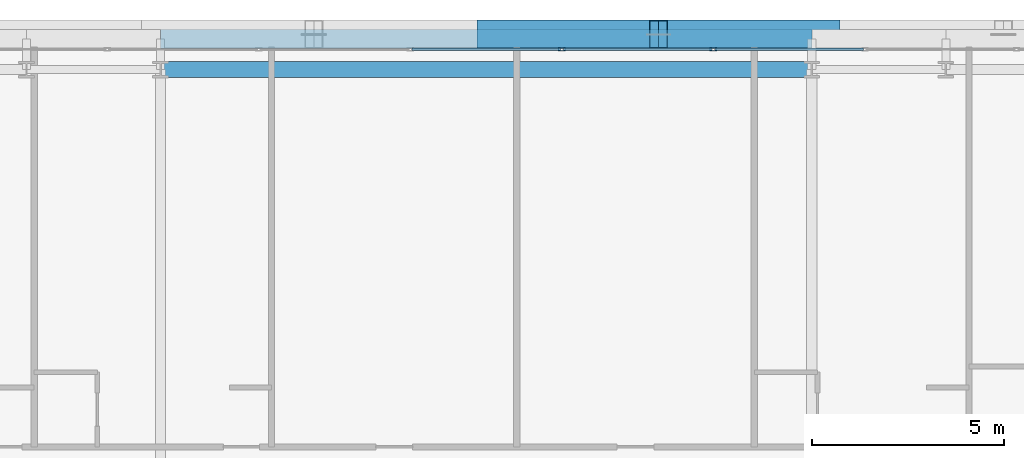
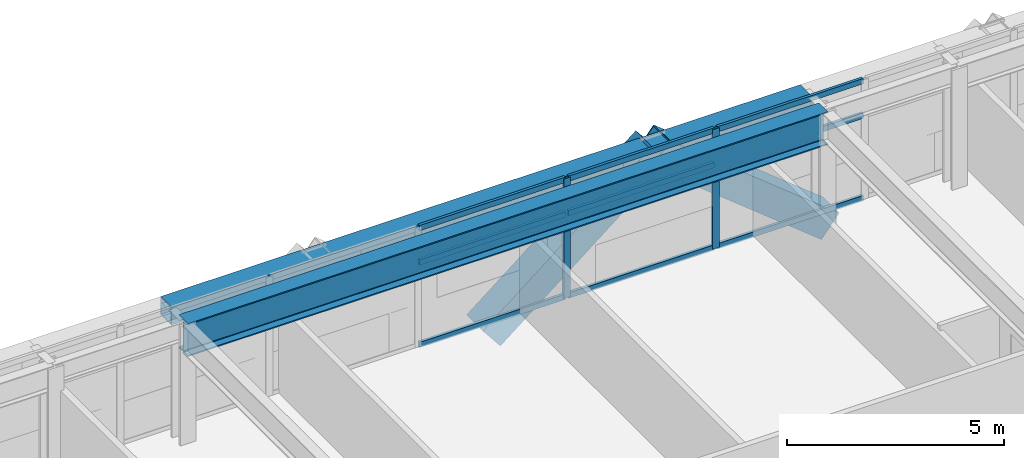
# One storey, part 19 of 35: 13 members, 2 beams, 1 element without a shape of its own.
"""IFC4 building model written with IfcOpenShell, lengths in metres."""

from ifc_helpers import new_model, si_unit, direction, frame, origin, origin_2d, place, context, subcontext, project, spatial, hollow_rectangle, i_section, extrude, source, transform, mapped, material, layer, layer_set, material_profile, profile_set, type_object, element, aggregate, save


model = new_model("IFC4")

# Units and contexts
model_context = context("Model", 3, precision=1e-05, world=origin(), true_north=direction((0.0, 1.0)))
body_context = subcontext(model_context, "Body", "Model", "MODEL_VIEW")
ifc_project = project(units=[si_unit("LENGTHUNIT", "METRE"), si_unit("AREAUNIT", "SQUARE_METRE"), si_unit("VOLUMEUNIT", "CUBIC_METRE"), si_unit("PLANEANGLEUNIT", "RADIAN"), si_unit("MASSUNIT", "GRAM", prefix="KILO")], contexts=[model_context])

# Site, building, storey
site_placement = place(None, origin())
site = spatial("IfcSite", under=ifc_project, at=site_placement, CompositionType="ELEMENT")
building_placement = place(site_placement, origin())
building = spatial("IfcBuilding", under=site, at=building_placement, Name="Ocotamira Hotel", CompositionType="ELEMENT")
storey_placement = place(building_placement, frame((0.0, 0.0, 118.800048828125)))
storey = spatial("IfcBuildingStorey", under=building, at=storey_placement, Name="L29", CompositionType="ELEMENT", Elevation=118.800048828125)

# Beams
ifc_material_1 = material(Name="Steel ASTM A992 Grade 50", Category="steel")
ifc_material_profile_1 = material_profile(ifc_material_1, i_section(OverallWidth=0.41796875, OverallDepth=0.927001953125, WebThickness=0.019287109375, FlangeThickness=0.031982421875, FilletRadius=0.02392578125, at=origin_2d()), Name="W36X231")
ifc_profile_set_1 = profile_set([ifc_material_profile_1], Name="Steel ASTM A992 Grade 50")
beam_type_1 = type_object("IfcBeamType", Name="BM-GIRD-W36X231", PredefinedType="BEAM", material=ifc_profile_set_1)
shared_shape_1 = source(origin(), body_context, "Body", "SweptSolid", [
    extrude(i_section(OverallWidth=0.41796875, OverallDepth=0.927001953125, WebThickness=0.019287109375, FlangeThickness=0.031982421875, FilletRadius=0.02392578125, at=origin_2d()), origin(), (0.0, 0.0, 1.0), 17.0),
])
beam_1_placement = place(storey_placement, frame((23.5, 49.050048828125, 2.896484375), z_axis=(1.0, 0.0, 0.0), x_axis=(0.0, 1.0, 0.0)))
element("IfcBeam", 1, at=beam_1_placement, inside=storey, type_object=beam_type_1, Name="L29 Girder Y49.05 X23.5-40.5", PredefinedType="BEAM", context=body_context, shape_type="MappedRepresentation", body=[
    mapped(shared_shape_1, transform((0.0, 0.0, 0.0), scale=1.0)),
])
ifc_material_2 = material(Name="Steel ASTM A500 Grade C", Category="steel")
ifc_material_profile_2 = material_profile(ifc_material_2, hollow_rectangle(XDim=0.5, YDim=0.5, WallThickness=0.02001953125, at=origin_2d()), Name="HSS500X500X20")
ifc_profile_set_2 = profile_set([ifc_material_profile_2], Name="Steel ASTM A500 Grade C")
beam_type_2 = type_object("IfcBeamType", Name="BM-SPAN-HSS500", PredefinedType="USERDEFINED", material=ifc_profile_set_2)
shared_shape_2 = source(origin(), body_context, "Body", "SweptSolid", [
    extrude(hollow_rectangle(XDim=0.5, YDim=0.5, WallThickness=0.02001953125, at=origin_2d()), origin(), (0.0, 0.0, 1.0), 17.0),
])
beam_2_placement = place(storey_placement, frame((23.5, 49.85009765625, 3.10986328125), z_axis=(1.0, 0.0, 0.0), x_axis=(0.0, 1.0, 0.0)))
element("IfcBeam", 2, at=beam_2_placement, inside=storey, type_object=beam_type_2, Name="L29 Edge Spandrel N X23.5-40.5", ObjectType="SPANDREL", PredefinedType="USERDEFINED", context=body_context, shape_type="MappedRepresentation", body=[
    mapped(shared_shape_2, transform((0.0, 0.0, 0.0), scale=1.0)),
])

# Members
ifc_material_3 = material(Name="Pale-metal coated steel ASTM A913 Grade 65", Category="steel")
ifc_material_profile_3 = material_profile(ifc_material_3, hollow_rectangle(XDim=0.75, YDim=0.75, WallThickness=0.028076171875, at=origin_2d()), Name="BOX750X750X28")
ifc_profile_set_3 = profile_set([ifc_material_profile_3], Name="Pale-metal coated steel ASTM A913 Grade 65")
member_type_1 = type_object("IfcMemberType", Name="MEM-EXO-BOX750", PredefinedType="BRACE", material=ifc_profile_set_3)
shared_shape_3 = source(origin(), body_context, "Body", "SweptSolid", [
    extrude(hollow_rectangle(XDim=0.75, YDim=0.75, WallThickness=0.028076171875, at=origin_2d()), origin(), (0.0, 0.0, 1.0), 5.7626953125),
])
for number, where, z_axis, x_axis, name in (
    (3, (32.0, 49.969970703125, -0.489990234375), (0.780881208953, 0.0, 0.624679547852), (0.0, 1.0, 0.0), "L29 Exoskeleton Diagrid N2.1"),
    (4, (41.0, 49.969970703125, -0.489990234375), (-0.780881208953, 0.0, 0.624679547852), (0.0, -1.0, 0.0), "L29 Exoskeleton Diagrid N2.2"),
):
    element("IfcMember", number, at=place(storey_placement, frame(where, z_axis=z_axis, x_axis=x_axis)), inside=storey, type_object=member_type_1, Name=name, PredefinedType="BRACE", context=body_context, shape_type="MappedRepresentation", body=[
        mapped(shared_shape_3, transform((0.0, 0.0, 0.0), scale=1.0)),
    ])

# Curtain wall, members
ifc_material_4 = material(Name="Anodised pale-metal aluminium and solar glass", Category="aluminium")
ifc_layer = layer(ifc_material_4, 0.179931640625)
ifc_layer_set = layer_set([ifc_layer], Name="Anodised pale-metal aluminium and solar glass")
curtain_wall_type = type_object("IfcCurtainWallType", Name="CW-SYS3-Z2", PredefinedType="NOTDEFINED", material=ifc_layer_set)
curtain_wall_placement = place(storey_placement, origin())
curtain_wall = element("IfcCurtainWall", 5, at=curtain_wall_placement, inside=storey, type_object=curtain_wall_type, Name="L29 Curtain Wall CW-3 CW-L29-N", PredefinedType="NOTDEFINED")
ifc_material_5 = material(Name="Anodised pale-metal aluminium 6063-T6", Category="aluminium")
ifc_material_profile_4 = material_profile(ifc_material_5, hollow_rectangle(XDim=0.074951171875, YDim=0.14990234375, WallThickness=0.006103515625, at=origin_2d()), Name="HSS150X75X6")
ifc_profile_set_4 = profile_set([ifc_material_profile_4], Name="Anodised pale-metal aluminium 6063-T6")
member_type_2 = type_object("IfcMemberType", Name="CWT-150X75", PredefinedType="USERDEFINED", material=ifc_profile_set_4)
shared_shape_4 = source(origin(), body_context, "Body", "SweptSolid", [
    extrude(hollow_rectangle(XDim=0.074951171875, YDim=0.14990234375, WallThickness=0.006103515625, at=origin_2d()), origin(), (0.0, 0.0, 1.0), 3.87548828125),
])
member_1_placement = place(storey_placement, frame((30.062255859375, 49.580078125, 0.037353515625), z_axis=(1.0, 0.0, 0.0), x_axis=(0.0, 1.0, 0.0)))
member_1 = element("IfcMember", 6, at=member_1_placement, type_object=member_type_2, Name="CW-3 transom 5.1", ObjectType="TRANSOM", PredefinedType="USERDEFINED", context=body_context, shape_type="MappedRepresentation", body=[
    mapped(shared_shape_4, transform((0.0, 0.0, 0.0), scale=1.0)),
])
member_2_placement = place(storey_placement, frame((30.062255859375, 49.580078125, 2.349853515625), z_axis=(1.0, 0.0, 0.0), x_axis=(0.0, 1.0, 0.0)))
member_2 = element("IfcMember", 7, at=member_2_placement, type_object=member_type_2, Name="CW-3 transom 5.2", ObjectType="TRANSOM", PredefinedType="USERDEFINED", context=body_context, shape_type="MappedRepresentation", body=[
    mapped(shared_shape_4, transform((0.0, 0.0, 0.0), scale=1.0)),
])
member_3_placement = place(storey_placement, frame((30.062255859375, 49.580078125, 3.322509765625), z_axis=(1.0, 0.0, 0.0), x_axis=(0.0, 1.0, 0.0)))
member_3 = element("IfcMember", 8, at=member_3_placement, type_object=member_type_2, Name="CW-3 transom 5.3", ObjectType="TRANSOM", PredefinedType="USERDEFINED", context=body_context, shape_type="MappedRepresentation", body=[
    mapped(shared_shape_4, transform((0.0, 0.0, 0.0), scale=1.0)),
])
member_4_placement = place(storey_placement, frame((34.017822265625, 49.580078125, 0.037353515625), z_axis=(1.0, 0.0, 0.0), x_axis=(0.0, 1.0, 0.0)))
member_4 = element("IfcMember", 9, at=member_4_placement, type_object=member_type_2, Name="CW-3 transom 6.1", ObjectType="TRANSOM", PredefinedType="USERDEFINED", context=body_context, shape_type="MappedRepresentation", body=[
    mapped(shared_shape_4, transform((0.0, 0.0, 0.0), scale=1.0)),
])
member_5_placement = place(storey_placement, frame((34.017822265625, 49.580078125, 2.349853515625), z_axis=(1.0, 0.0, 0.0), x_axis=(0.0, 1.0, 0.0)))
member_5 = element("IfcMember", 10, at=member_5_placement, type_object=member_type_2, Name="CW-3 transom 6.2", ObjectType="TRANSOM", PredefinedType="USERDEFINED", context=body_context, shape_type="MappedRepresentation", body=[
    mapped(shared_shape_4, transform((0.0, 0.0, 0.0), scale=1.0)),
])
member_6_placement = place(storey_placement, frame((34.017822265625, 49.580078125, 3.322509765625), z_axis=(1.0, 0.0, 0.0), x_axis=(0.0, 1.0, 0.0)))
member_6 = element("IfcMember", 11, at=member_6_placement, type_object=member_type_2, Name="CW-3 transom 6.3", ObjectType="TRANSOM", PredefinedType="USERDEFINED", context=body_context, shape_type="MappedRepresentation", body=[
    mapped(shared_shape_4, transform((0.0, 0.0, 0.0), scale=1.0)),
])
member_7_placement = place(storey_placement, frame((37.973388671875, 49.580078125, 0.037353515625), z_axis=(1.0, 0.0, 0.0), x_axis=(0.0, 1.0, 0.0)))
member_7 = element("IfcMember", 12, at=member_7_placement, type_object=member_type_2, Name="CW-3 transom 7.1", ObjectType="TRANSOM", PredefinedType="USERDEFINED", context=body_context, shape_type="MappedRepresentation", body=[
    mapped(shared_shape_4, transform((0.0, 0.0, 0.0), scale=1.0)),
])
member_8_placement = place(storey_placement, frame((37.973388671875, 49.580078125, 2.349853515625), z_axis=(1.0, 0.0, 0.0), x_axis=(0.0, 1.0, 0.0)))
member_8 = element("IfcMember", 13, at=member_8_placement, type_object=member_type_2, Name="CW-3 transom 7.2", ObjectType="TRANSOM", PredefinedType="USERDEFINED", context=body_context, shape_type="MappedRepresentation", body=[
    mapped(shared_shape_4, transform((0.0, 0.0, 0.0), scale=1.0)),
])
member_9_placement = place(storey_placement, frame((37.973388671875, 49.580078125, 3.322509765625), z_axis=(1.0, 0.0, 0.0), x_axis=(0.0, 1.0, 0.0)))
member_9 = element("IfcMember", 14, at=member_9_placement, type_object=member_type_2, Name="CW-3 transom 7.3", ObjectType="TRANSOM", PredefinedType="USERDEFINED", context=body_context, shape_type="MappedRepresentation", body=[
    mapped(shared_shape_4, transform((0.0, 0.0, 0.0), scale=1.0)),
])
ifc_material_profile_5 = material_profile(ifc_material_5, hollow_rectangle(XDim=0.080078125, YDim=0.179931640625, WallThickness=0.006103515625, at=origin_2d()), Name="HSS180X80X6")
ifc_profile_set_5 = profile_set([ifc_material_profile_5], Name="Anodised pale-metal aluminium 6063-T6")
member_type_3 = type_object("IfcMemberType", Name="CWM-180X75", PredefinedType="MULLION", material=ifc_profile_set_5)
shared_shape_5 = source(origin(), body_context, "Body", "SweptSolid", [
    extrude(hollow_rectangle(XDim=0.080078125, YDim=0.179931640625, WallThickness=0.006103515625, at=origin_2d()), origin(), (0.0, 0.0, 1.0), 3.35986328125),
])
member_10_placement = place(storey_placement, frame((33.977783203125, 49.580078125, 0.0), z_axis=(0.0, 0.0, 1.0), x_axis=(0.0, 1.0, 0.0)))
member_10 = element("IfcMember", 15, at=member_10_placement, type_object=member_type_3, Name="CW-3 mullion 6", PredefinedType="MULLION", context=body_context, shape_type="MappedRepresentation", body=[
    mapped(shared_shape_5, transform((0.0, 0.0, 0.0), scale=1.0)),
])
member_11_placement = place(storey_placement, frame((37.933349609375, 49.580078125, 0.0), z_axis=(0.0, 0.0, 1.0), x_axis=(0.0, 1.0, 0.0)))
member_11 = element("IfcMember", 16, at=member_11_placement, type_object=member_type_3, Name="CW-3 mullion 7", PredefinedType="MULLION", context=body_context, shape_type="MappedRepresentation", body=[
    mapped(shared_shape_5, transform((0.0, 0.0, 0.0), scale=1.0)),
])
aggregate(curtain_wall, [member_10, member_11, member_1, member_2, member_3, member_4, member_5, member_6, member_7, member_8, member_9])

save(model, "model.ifc")
